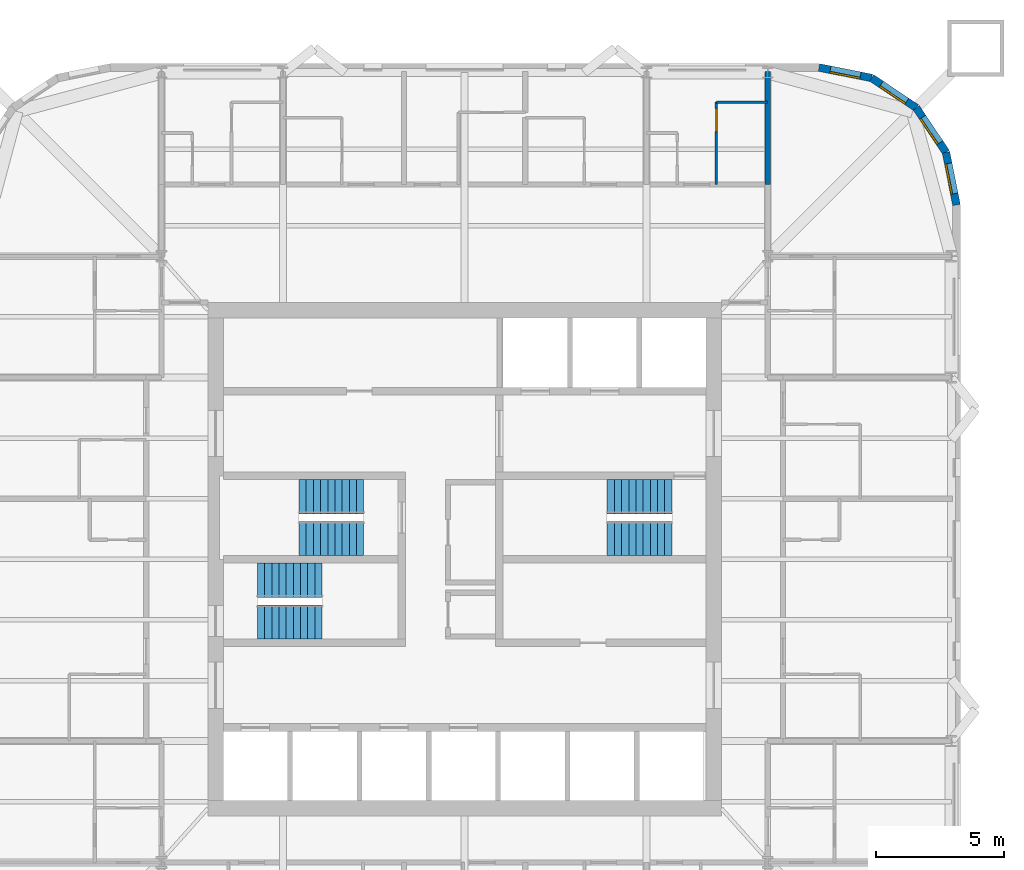
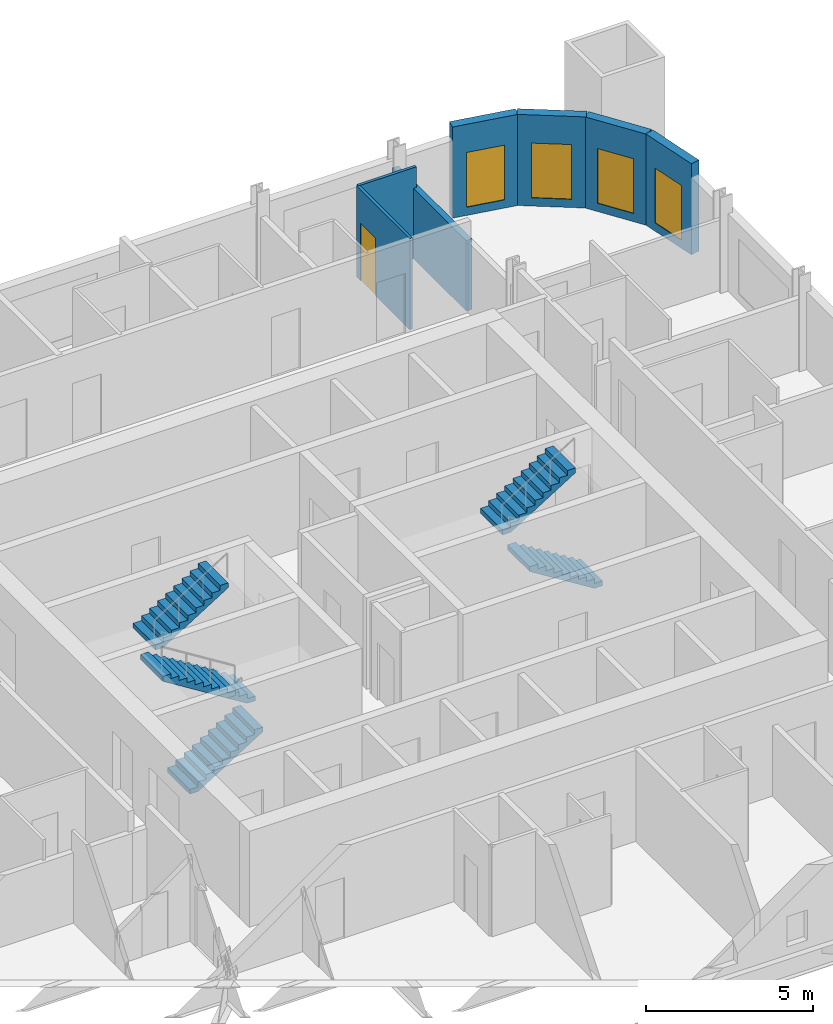
# One storey, part 8 of 9: 7 walls, 6 stair flights, 4 windows, 1 door, 5 openings, 3 elements without a shape of their own.
"""IFC4 building model written with IfcOpenShell, lengths in metres."""

from ifc_helpers import new_model, si_unit, direction, frame, frame_2d, origin, place, context, subcontext, project, spatial, polyline, rectangle, outline, extrude, material, layer, layer_set, type_object, element, fill, aggregate, save


model = new_model("IFC4")

# Units and contexts
model_context = context("Model", 3, precision=1e-05, world=origin(), true_north=direction((0.0, 1.0)))
body_context = subcontext(model_context, "Body", "Model", "MODEL_VIEW")
ifc_project = project(units=[si_unit("LENGTHUNIT", "METRE"), si_unit("AREAUNIT", "SQUARE_METRE"), si_unit("VOLUMEUNIT", "CUBIC_METRE"), si_unit("PLANEANGLEUNIT", "RADIAN"), si_unit("MASSUNIT", "GRAM", prefix="KILO")], contexts=[model_context])

# Site, building, storey
site_placement = place(None, origin())
site = spatial("IfcSite", under=ifc_project, at=site_placement, CompositionType="ELEMENT")
building_placement = place(site_placement, origin())
building = spatial("IfcBuilding", under=site, at=building_placement, Name="Turquesa Mirador Hotel Tower", CompositionType="ELEMENT")
storey_placement = place(building_placement, frame((0.0, 0.0, 182.800048828125)))
storey = spatial("IfcBuildingStorey", under=building, at=storey_placement, Name="L49", CompositionType="ELEMENT", Elevation=182.800048828125)

# Wall
ifc_material_1 = material(Name="Gypsum board on steel studs", Category="steel")
ifc_layer_1 = layer(ifc_material_1, 0.10009765625)
ifc_layer_set_1 = layer_set([ifc_layer_1], Name="BATHROOM WALL 100")
wall_type_1 = type_object("IfcWallType", Name="BATHROOM WALL 100", PredefinedType="PARTITIONING", material=ifc_layer_set_1)
wall_1_placement = place(storey_placement, frame((64.800048828125, 62.800048828125, 0.0), z_axis=(0.0, 0.0, 1.0), x_axis=(1.0, 0.0, 0.0)))
element("IfcWall", 1, at=wall_1_placement, inside=storey, type_object=wall_type_1, Name="Partition L49 030", PredefinedType="PARTITIONING", context=body_context, shape_type="SweptSolid", body=[
    extrude(rectangle(XDim=2.0, YDim=0.10009765625, at=frame_2d((1.0, 0.0))), origin(), (0.0, 0.0, 1.0), 3.329833984375),
])

# Wall, opening, door
wall_2_placement = place(storey_placement, frame((64.800048828125, 59.60009765625, 0.0), z_axis=(0.0, 0.0, 1.0), x_axis=(0.0, 1.0, 0.0)))
wall_2 = element("IfcWall", 2, at=wall_2_placement, inside=storey, type_object=wall_type_1, Name="Partition L49 084", PredefinedType="PARTITIONING", context=body_context, shape_type="SweptSolid", body=[
    extrude(rectangle(XDim=3.199951171875, YDim=0.10009765625, at=frame_2d((1.60009765625, 0.0))), origin(), (0.0, 0.0, 1.0), 3.329833984375),
])
opening_1_placement = place(wall_2_placement, frame((2.050048828125, 0.0, 0.0)))
opening_1 = element("IfcOpeningElement", 3, at=opening_1_placement, cuts=wall_2, Name="Opening D02", PredefinedType="OPENING", context=body_context, shape_type="SweptSolid", body=[
    extrude(rectangle(XDim=0.89990234375, YDim=2.10009765625, at=frame_2d((0.449951171875, 1.050048828125))), frame((0.0, 0.06005859375, 0.0), z_axis=(0.0, -1.0, 0.0), x_axis=(1.0, 0.0, 0.0)), (0.0, 0.0, 1.0), 0.1201171875),
])
ifc_material_2 = material(Name="Timber veneered door", Category="wood")
door_type = type_object("IfcDoorType", Name="DOOR 900X2100 EN-SUITE", OperationType="SINGLE_SWING_RIGHT", PredefinedType="DOOR", material=ifc_material_2)
door_placement = place(opening_1_placement, origin())
door = element("IfcDoor", 4, at=door_placement, inside=storey, type_object=door_type, Name="Door 4905B", OperationType="SINGLE_SWING_RIGHT", OverallHeight=2.10009765625, OverallWidth=0.89990234375, PredefinedType="DOOR", context=body_context, shape_type="SweptSolid", body=[
    extrude(rectangle(XDim=0.89990234375, YDim=2.10009765625, at=frame_2d((0.449951171875, 1.050048828125))), frame((0.0, 0.02490234375, 0.0), z_axis=(0.0, -1.0, 0.0), x_axis=(1.0, 0.0, 0.0)), (0.0, 0.0, 1.0), 0.050048828125),
])
fill(opening_1, door)

# Wall, opening, window
ifc_material_3 = material(Name="Limestone cladding on concrete block", Category="masonry")
ifc_layer_2 = layer(ifc_material_3, 0.300048828125)
ifc_layer_set_2 = layer_set([ifc_layer_2], Name="FACADE WALL 300 STONE SCREEN")
wall_type_2 = type_object("IfcWallType", Name="FACADE WALL 300 STONE SCREEN", PredefinedType="SOLIDWALL", material=ifc_layer_set_2)
wall_3_placement = place(storey_placement, frame((74.14990234375, 58.800048828125, 0.0), z_axis=(0.0, 0.0, 1.0), x_axis=(-0.195081421501, 0.980787050784, 0.0)))
wall_3 = element("IfcWall", 5, at=wall_3_placement, inside=storey, type_object=wall_type_2, Name="Facade wall L49 05", PredefinedType="SOLIDWALL", context=body_context, shape_type="SweptSolid", body=[
    extrude(rectangle(XDim=2.08740234375, YDim=0.300048828125, at=frame_2d((1.043701171875, 0.0))), origin(), (0.0, 0.0, 1.0), 3.329833984375),
])
opening_2_placement = place(wall_3_placement, frame((0.443603515625, 0.0, 0.300048828125)))
opening_2 = element("IfcOpeningElement", 6, at=opening_2_placement, cuts=wall_3, Name="Opening WN4", PredefinedType="OPENING", context=body_context, shape_type="SweptSolid", body=[
    extrude(rectangle(XDim=1.199951171875, YDim=2.0, at=frame_2d((0.60009765625, 1.0))), frame((0.0, 0.159912109375, 0.0), z_axis=(0.0, -1.0, 0.0), x_axis=(1.0, 0.0, 0.0)), (0.0, 0.0, 1.0), 0.320068359375),
])
ifc_material_4 = material(Name="Ceramic-fritted laminated glass", Category="glass")
window_type = type_object("IfcWindowType", Name="FRITTED CORNER WINDOW 1200X2000", PartitioningType="DOUBLE_PANEL_HORIZONTAL", PredefinedType="WINDOW", material=ifc_material_4)
window_1_placement = place(opening_2_placement, origin())
window_1 = element("IfcWindow", 7, at=window_1_placement, inside=storey, type_object=window_type, Name="Window L49", OverallHeight=2.0, OverallWidth=1.199951171875, PartitioningType="SINGLE_PANEL", PredefinedType="WINDOW", context=body_context, shape_type="SweptSolid", body=[
    extrude(rectangle(XDim=1.199951171875, YDim=2.0, at=frame_2d((0.60009765625, 1.0))), frame((0.0, 0.130126953125, 0.0), z_axis=(0.0, -1.0, 0.0), x_axis=(1.0, 0.0, 0.0)), (0.0, 0.0, 1.0), 0.06005859375),
])
fill(opening_2, window_1)

wall_4_placement = place(storey_placement, frame((73.74267578125, 60.847412109375, 0.0), z_axis=(0.0, 0.0, 1.0), x_axis=(-0.555563607591, 0.831474039234, 0.0)))
wall_4 = element("IfcWall", 8, at=wall_4_placement, inside=storey, type_object=wall_type_2, Name="Facade wall L49 06", PredefinedType="SOLIDWALL", context=body_context, shape_type="SweptSolid", body=[
    extrude(rectangle(XDim=2.08740234375, YDim=0.300048828125, at=frame_2d((1.043701171875, 0.0))), origin(), (0.0, 0.0, 1.0), 3.329833984375),
])
opening_3_placement = place(wall_4_placement, frame((0.443603515625, 0.0, 0.300048828125)))
opening_3 = element("IfcOpeningElement", 9, at=opening_3_placement, cuts=wall_4, Name="Opening WN4", PredefinedType="OPENING", context=body_context, shape_type="SweptSolid", body=[
    extrude(rectangle(XDim=1.199951171875, YDim=2.0, at=frame_2d((0.60009765625, 1.0))), frame((0.0, 0.159912109375, 0.0), z_axis=(0.0, -1.0, 0.0), x_axis=(1.0, 0.0, 0.0)), (0.0, 0.0, 1.0), 0.320068359375),
])
window_2_placement = place(opening_3_placement, origin())
window_2 = element("IfcWindow", 10, at=window_2_placement, inside=storey, type_object=window_type, Name="Window L49", OverallHeight=2.0, OverallWidth=1.199951171875, PartitioningType="SINGLE_PANEL", PredefinedType="WINDOW", context=body_context, shape_type="SweptSolid", body=[
    extrude(rectangle(XDim=1.199951171875, YDim=2.0, at=frame_2d((0.60009765625, 1.0))), frame((0.0, 0.130126953125, 0.0), z_axis=(0.0, -1.0, 0.0), x_axis=(1.0, 0.0, 0.0)), (0.0, 0.0, 1.0), 0.06005859375),
])
fill(opening_3, window_2)

wall_5_placement = place(storey_placement, frame((72.5830078125, 62.5830078125, 0.0), z_axis=(0.0, 0.0, 1.0), x_axis=(-0.831474039234, 0.555563607591, 0.0)))
wall_5 = element("IfcWall", 11, at=wall_5_placement, inside=storey, type_object=wall_type_2, Name="Facade wall L49 07", PredefinedType="SOLIDWALL", context=body_context, shape_type="SweptSolid", body=[
    extrude(rectangle(XDim=2.08740234375, YDim=0.300048828125, at=frame_2d((1.043701171875, 0.0))), origin(), (0.0, 0.0, 1.0), 3.329833984375),
])
opening_4_placement = place(wall_5_placement, frame((0.443603515625, 0.0, 0.300048828125)))
opening_4 = element("IfcOpeningElement", 12, at=opening_4_placement, cuts=wall_5, Name="Opening WN4", PredefinedType="OPENING", context=body_context, shape_type="SweptSolid", body=[
    extrude(rectangle(XDim=1.199951171875, YDim=2.0, at=frame_2d((0.60009765625, 1.0))), frame((0.0, 0.159912109375, 0.0), z_axis=(0.0, -1.0, 0.0), x_axis=(1.0, 0.0, 0.0)), (0.0, 0.0, 1.0), 0.320068359375),
])
window_3_placement = place(opening_4_placement, origin())
window_3 = element("IfcWindow", 13, at=window_3_placement, inside=storey, type_object=window_type, Name="Window L49", OverallHeight=2.0, OverallWidth=1.199951171875, PartitioningType="SINGLE_PANEL", PredefinedType="WINDOW", context=body_context, shape_type="SweptSolid", body=[
    extrude(rectangle(XDim=1.199951171875, YDim=2.0, at=frame_2d((0.60009765625, 1.0))), frame((0.0, 0.130126953125, 0.0), z_axis=(0.0, -1.0, 0.0), x_axis=(1.0, 0.0, 0.0)), (0.0, 0.0, 1.0), 0.06005859375),
])
fill(opening_4, window_3)

wall_6_placement = place(storey_placement, frame((70.847412109375, 63.74267578125, 0.0), z_axis=(0.0, 0.0, 1.0), x_axis=(-0.980787050784, 0.195081421501, 0.0)))
wall_6 = element("IfcWall", 14, at=wall_6_placement, inside=storey, type_object=wall_type_2, Name="Facade wall L49 08", PredefinedType="SOLIDWALL", context=body_context, shape_type="SweptSolid", body=[
    extrude(rectangle(XDim=2.08740234375, YDim=0.300048828125, at=frame_2d((1.043701171875, 0.0))), origin(), (0.0, 0.0, 1.0), 3.329833984375),
])
opening_5_placement = place(wall_6_placement, frame((0.443603515625, 0.0, 0.300048828125)))
opening_5 = element("IfcOpeningElement", 15, at=opening_5_placement, cuts=wall_6, Name="Opening WN4", PredefinedType="OPENING", context=body_context, shape_type="SweptSolid", body=[
    extrude(rectangle(XDim=1.199951171875, YDim=2.0, at=frame_2d((0.60009765625, 1.0))), frame((0.0, 0.159912109375, 0.0), z_axis=(0.0, -1.0, 0.0), x_axis=(1.0, 0.0, 0.0)), (0.0, 0.0, 1.0), 0.320068359375),
])
window_4_placement = place(opening_5_placement, origin())
window_4 = element("IfcWindow", 16, at=window_4_placement, inside=storey, type_object=window_type, Name="Window L49", OverallHeight=2.0, OverallWidth=1.199951171875, PartitioningType="SINGLE_PANEL", PredefinedType="WINDOW", context=body_context, shape_type="SweptSolid", body=[
    extrude(rectangle(XDim=1.199951171875, YDim=2.0, at=frame_2d((0.60009765625, 1.0))), frame((0.0, 0.130126953125, 0.0), z_axis=(0.0, -1.0, 0.0), x_axis=(1.0, 0.0, 0.0)), (0.0, 0.0, 1.0), 0.06005859375),
])
fill(opening_5, window_4)

# Wall
ifc_material_5 = material(Name="Fire-rated gypsum board on steel studs", Category="steel")
ifc_layer_3 = layer(ifc_material_5, 0.199951171875)
ifc_layer_set_3 = layer_set([ifc_layer_3], Name="PARTY WALL 200")
wall_type_3 = type_object("IfcWallType", Name="PARTY WALL 200", PredefinedType="PARTITIONING", material=ifc_layer_set_3)
wall_7_placement = place(storey_placement, frame((66.800048828125, 59.60009765625, 0.0), z_axis=(0.0, 0.0, 1.0), x_axis=(0.0, 1.0, 0.0)))
element("IfcWall", 17, at=wall_7_placement, inside=storey, type_object=wall_type_3, Name="Partition L49 066", PredefinedType="PARTITIONING", context=body_context, shape_type="SweptSolid", body=[
    extrude(rectangle(XDim=4.39990234375, YDim=0.199951171875, at=frame_2d((2.199951171875, 0.0))), origin(), (0.0, 0.0, 1.0), 2.572998046875),
])

# Stair, stair flights
ifc_material_6 = material(Name="Concrete C35/45", Category="concrete")
stair_type = type_object("IfcStairType", Name="ESCAPE STAIR CORE", PredefinedType="HALF_TURN_STAIR", material=ifc_material_6)
stair_1_placement = place(storey_placement, origin())
stair_1 = element("IfcStair", 18, at=stair_1_placement, inside=storey, type_object=stair_type, Name="Stair ST1 L49 to L50", PredefinedType="HALF_TURN_STAIR")
ifc_material_7 = material(Name="Concrete C35/45 precast flight", Category="concrete")
stair_flight_type = type_object("IfcStairFlightType", Name="STAIR FLIGHT 1330", PredefinedType="STRAIGHT", material=ifc_material_7)
stair_flight_1_placement = place(storey_placement, frame((51.070068359375, 45.81494140625, 0.0), z_axis=(0.0, 0.0, 1.0), x_axis=(-1.0, 0.0, 0.0)))
stair_flight_1 = element("IfcStairFlight", 19, at=stair_flight_1_placement, type_object=stair_flight_type, Name="ST1 flight 1", NumberOfRisers=10, NumberOfTreads=9, PredefinedType="STRAIGHT", RiserHeight=0.175, TreadLength=0.28, context=body_context, shape_type="SweptSolid", body=[
    extrude(outline(polyline([(0.0, 0.0), (0.0, 0.175048828125), (0.280029296875, 0.175048828125), (0.280029296875, 0.35009765625), (0.56005859375, 0.35009765625), (0.56005859375, 0.52490234375), (0.840087890625, 0.52490234375), (0.840087890625, 0.699951171875), (1.1201171875, 0.699951171875), (1.1201171875, 0.875), (1.39990234375, 0.875), (1.39990234375, 1.050048828125), (1.679931640625, 1.050048828125), (1.679931640625, 1.22509765625), (1.9599609375, 1.22509765625), (1.9599609375, 1.39990234375), (2.239990234375, 1.39990234375), (2.239990234375, 1.574951171875), (2.52001953125, 1.574951171875), (2.52001953125, 1.75), (2.52001953125, 1.398193359375), (0.28271484375, 0.0), (0.0, 0.0)])), frame((0.0, 0.6650390625, 0.0), z_axis=(0.0, -1.0, 0.0), x_axis=(1.0, 0.0, 0.0)), (0.0, 0.0, 1.0), 1.330078125),
])
stair_flight_2_placement = place(storey_placement, frame((48.550048828125, 47.43505859375, 1.75), z_axis=(0.0, 0.0, 1.0), x_axis=(1.0, 0.0, 0.0)))
stair_flight_2 = element("IfcStairFlight", 20, at=stair_flight_2_placement, type_object=stair_flight_type, Name="ST1 flight 2", NumberOfRisers=10, NumberOfTreads=9, PredefinedType="STRAIGHT", RiserHeight=0.175, TreadLength=0.28, context=body_context, shape_type="SweptSolid", body=[
    extrude(outline(polyline([(0.0, 0.0), (0.0, 0.175048828125), (0.280029296875, 0.175048828125), (0.280029296875, 0.35009765625), (0.56005859375, 0.35009765625), (0.56005859375, 0.52490234375), (0.840087890625, 0.52490234375), (0.840087890625, 0.699951171875), (1.1201171875, 0.699951171875), (1.1201171875, 0.875), (1.39990234375, 0.875), (1.39990234375, 1.050048828125), (1.679931640625, 1.050048828125), (1.679931640625, 1.22509765625), (1.9599609375, 1.22509765625), (1.9599609375, 1.39990234375), (2.239990234375, 1.39990234375), (2.239990234375, 1.574951171875), (2.52001953125, 1.574951171875), (2.52001953125, 1.75), (2.52001953125, 1.398193359375), (0.28271484375, 0.0), (0.0, 0.0)])), frame((0.0, 0.6650390625, 0.0), z_axis=(0.0, -1.0, 0.0), x_axis=(1.0, 0.0, 0.0)), (0.0, 0.0, 1.0), 1.330078125),
])
aggregate(stair_1, [stair_flight_1, stair_flight_2])

stair_2_placement = place(storey_placement, origin())
stair_2 = element("IfcStair", 21, at=stair_2_placement, inside=storey, type_object=stair_type, Name="Stair ST2 L49 to L50", PredefinedType="HALF_TURN_STAIR")
stair_flight_3_placement = place(storey_placement, frame((46.929931640625, 42.56494140625, 0.0), z_axis=(0.0, 0.0, 1.0), x_axis=(1.0, 0.0, 0.0)))
stair_flight_3 = element("IfcStairFlight", 22, at=stair_flight_3_placement, type_object=stair_flight_type, Name="ST2 flight 1", NumberOfRisers=10, NumberOfTreads=9, PredefinedType="STRAIGHT", RiserHeight=0.175, TreadLength=0.28, context=body_context, shape_type="SweptSolid", body=[
    extrude(outline(polyline([(0.0, 0.0), (0.0, 0.175048828125), (0.280029296875, 0.175048828125), (0.280029296875, 0.35009765625), (0.56005859375, 0.35009765625), (0.56005859375, 0.52490234375), (0.840087890625, 0.52490234375), (0.840087890625, 0.699951171875), (1.1201171875, 0.699951171875), (1.1201171875, 0.875), (1.39990234375, 0.875), (1.39990234375, 1.050048828125), (1.679931640625, 1.050048828125), (1.679931640625, 1.22509765625), (1.9599609375, 1.22509765625), (1.9599609375, 1.39990234375), (2.239990234375, 1.39990234375), (2.239990234375, 1.574951171875), (2.52001953125, 1.574951171875), (2.52001953125, 1.75), (2.52001953125, 1.398193359375), (0.28271484375, 0.0), (0.0, 0.0)])), frame((0.0, 0.6650390625, 0.0), z_axis=(0.0, -1.0, 0.0), x_axis=(1.0, 0.0, 0.0)), (0.0, 0.0, 1.0), 1.330078125),
])
stair_flight_4_placement = place(storey_placement, frame((49.449951171875, 44.18505859375, 1.75), z_axis=(0.0, 0.0, 1.0), x_axis=(-1.0, 0.0, 0.0)))
stair_flight_4 = element("IfcStairFlight", 23, at=stair_flight_4_placement, type_object=stair_flight_type, Name="ST2 flight 2", NumberOfRisers=10, NumberOfTreads=9, PredefinedType="STRAIGHT", RiserHeight=0.175, TreadLength=0.28, context=body_context, shape_type="SweptSolid", body=[
    extrude(outline(polyline([(0.0, 0.0), (0.0, 0.175048828125), (0.280029296875, 0.175048828125), (0.280029296875, 0.35009765625), (0.56005859375, 0.35009765625), (0.56005859375, 0.52490234375), (0.840087890625, 0.52490234375), (0.840087890625, 0.699951171875), (1.1201171875, 0.699951171875), (1.1201171875, 0.875), (1.39990234375, 0.875), (1.39990234375, 1.050048828125), (1.679931640625, 1.050048828125), (1.679931640625, 1.22509765625), (1.9599609375, 1.22509765625), (1.9599609375, 1.39990234375), (2.239990234375, 1.39990234375), (2.239990234375, 1.574951171875), (2.52001953125, 1.574951171875), (2.52001953125, 1.75), (2.52001953125, 1.398193359375), (0.28271484375, 0.0), (0.0, 0.0)])), frame((0.0, 0.6650390625, 0.0), z_axis=(0.0, -1.0, 0.0), x_axis=(1.0, 0.0, 0.0)), (0.0, 0.0, 1.0), 1.330078125),
])
aggregate(stair_2, [stair_flight_3, stair_flight_4])

stair_3_placement = place(storey_placement, origin())
stair_3 = element("IfcStair", 24, at=stair_3_placement, inside=storey, type_object=stair_type, Name="Stair ST3 L49 to L50", PredefinedType="HALF_TURN_STAIR")
stair_flight_5_placement = place(storey_placement, frame((63.070068359375, 45.81494140625, 0.0), z_axis=(0.0, 0.0, 1.0), x_axis=(-1.0, 0.0, 0.0)))
stair_flight_5 = element("IfcStairFlight", 25, at=stair_flight_5_placement, type_object=stair_flight_type, Name="ST3 flight 1", NumberOfRisers=10, NumberOfTreads=9, PredefinedType="STRAIGHT", RiserHeight=0.175, TreadLength=0.28, context=body_context, shape_type="SweptSolid", body=[
    extrude(outline(polyline([(0.0, 0.0), (0.0, 0.175048828125), (0.280029296875, 0.175048828125), (0.280029296875, 0.35009765625), (0.56005859375, 0.35009765625), (0.56005859375, 0.52490234375), (0.840087890625, 0.52490234375), (0.840087890625, 0.699951171875), (1.1201171875, 0.699951171875), (1.1201171875, 0.875), (1.39990234375, 0.875), (1.39990234375, 1.050048828125), (1.679931640625, 1.050048828125), (1.679931640625, 1.22509765625), (1.9599609375, 1.22509765625), (1.9599609375, 1.39990234375), (2.239990234375, 1.39990234375), (2.239990234375, 1.574951171875), (2.52001953125, 1.574951171875), (2.52001953125, 1.75), (2.52001953125, 1.398193359375), (0.28271484375, 0.0), (0.0, 0.0)])), frame((0.0, 0.6650390625, 0.0), z_axis=(0.0, -1.0, 0.0), x_axis=(1.0, 0.0, 0.0)), (0.0, 0.0, 1.0), 1.330078125),
])
stair_flight_6_placement = place(storey_placement, frame((60.550048828125, 47.43505859375, 1.75), z_axis=(0.0, 0.0, 1.0), x_axis=(1.0, 0.0, 0.0)))
stair_flight_6 = element("IfcStairFlight", 26, at=stair_flight_6_placement, type_object=stair_flight_type, Name="ST3 flight 2", NumberOfRisers=10, NumberOfTreads=9, PredefinedType="STRAIGHT", RiserHeight=0.175, TreadLength=0.28, context=body_context, shape_type="SweptSolid", body=[
    extrude(outline(polyline([(0.0, 0.0), (0.0, 0.175048828125), (0.280029296875, 0.175048828125), (0.280029296875, 0.35009765625), (0.56005859375, 0.35009765625), (0.56005859375, 0.52490234375), (0.840087890625, 0.52490234375), (0.840087890625, 0.699951171875), (1.1201171875, 0.699951171875), (1.1201171875, 0.875), (1.39990234375, 0.875), (1.39990234375, 1.050048828125), (1.679931640625, 1.050048828125), (1.679931640625, 1.22509765625), (1.9599609375, 1.22509765625), (1.9599609375, 1.39990234375), (2.239990234375, 1.39990234375), (2.239990234375, 1.574951171875), (2.52001953125, 1.574951171875), (2.52001953125, 1.75), (2.52001953125, 1.398193359375), (0.28271484375, 0.0), (0.0, 0.0)])), frame((0.0, 0.6650390625, 0.0), z_axis=(0.0, -1.0, 0.0), x_axis=(1.0, 0.0, 0.0)), (0.0, 0.0, 1.0), 1.330078125),
])
aggregate(stair_3, [stair_flight_5, stair_flight_6])

save(model, "model.ifc")
